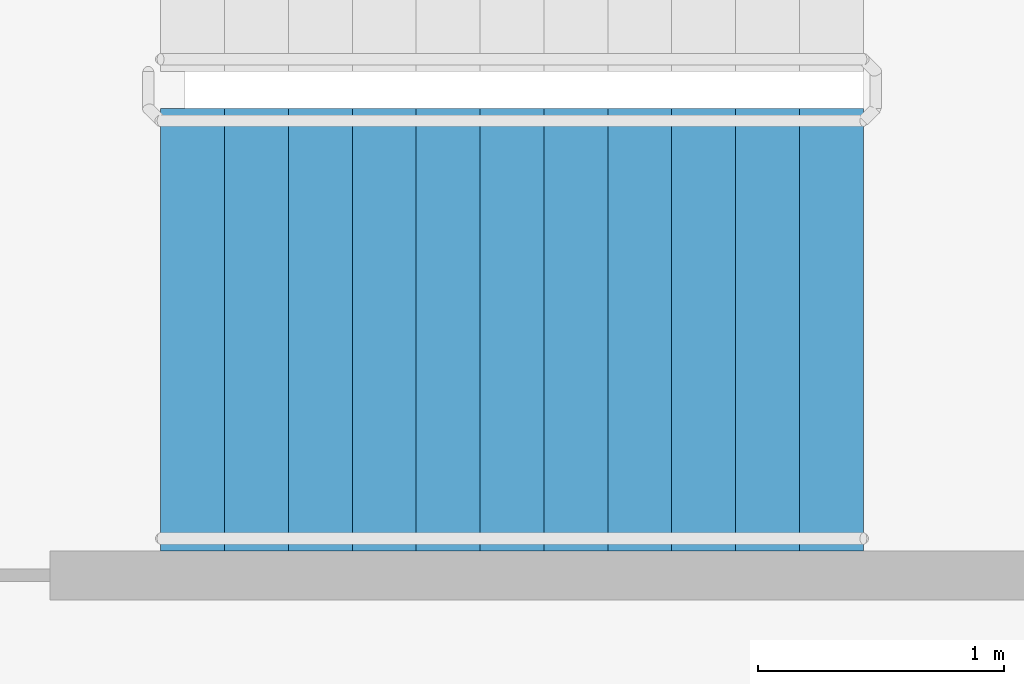
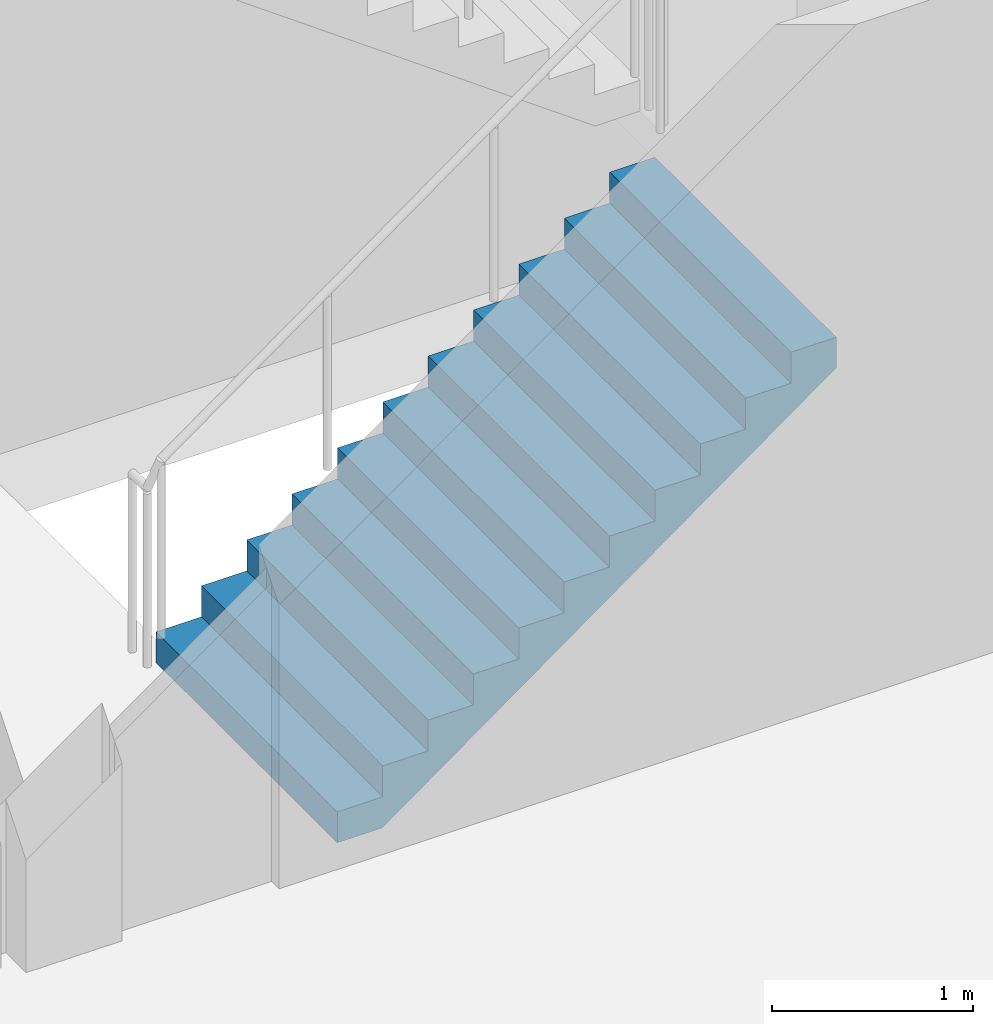
# One storey, part 46 of 51: 1 stair flight, 1 element without a shape of its own.
"""IFC4 building model written with IfcOpenShell, lengths in metres."""

from ifc_helpers import new_model, si_unit, direction, frame, origin, place, context, subcontext, project, spatial, faceted_brep, material, type_object, element, aggregate, save


model = new_model("IFC4")

# Units and contexts
model_context = context("Model", 3, precision=1e-05, world=origin(), true_north=direction((0.0, 1.0)))
body_context = subcontext(model_context, "Body", "Model", "MODEL_VIEW")
ifc_project = project(units=[si_unit("LENGTHUNIT", "METRE"), si_unit("AREAUNIT", "SQUARE_METRE"), si_unit("VOLUMEUNIT", "CUBIC_METRE"), si_unit("PLANEANGLEUNIT", "RADIAN"), si_unit("MASSUNIT", "GRAM", prefix="KILO")], contexts=[model_context])

# Site, building, storey
site_placement = place(None, origin())
site = spatial("IfcSite", under=ifc_project, at=site_placement, CompositionType="ELEMENT")
building_placement = place(site_placement, origin())
building = spatial("IfcBuilding", under=site, at=building_placement, Name="Ipe Terrace Towers", CompositionType="ELEMENT")
storey_placement = place(building_placement, frame((0.0, 0.0, 15.5)))
storey = spatial("IfcBuildingStorey", under=building, at=storey_placement, Name="L03", CompositionType="ELEMENT", Elevation=15.5)

# Stair, stair flight
ifc_material_1 = material(Name="Concrete C30/37", Category="concrete")
stair_type = type_object("IfcStairType", Name="Protected exit stair", PredefinedType="HALF_TURN_STAIR", material=ifc_material_1)
stair_placement = place(storey_placement, origin())
stair = element("IfcStair", 1, at=stair_placement, inside=storey, type_object=stair_type, Name="L03 Podium exit stair PS8", PredefinedType="HALF_TURN_STAIR")
ifc_material_2 = material(Name="Concrete C30/37", Category="concrete")
stair_flight_type = type_object("IfcStairFlightType", Name="Exit stair flight 1800", PredefinedType="STRAIGHT", material=ifc_material_2)
stair_flight_placement = place(storey_placement, frame((58.68994140625, 2.5, 0.0), z_axis=(0.0, 0.0, 1.0), x_axis=(1.0, 0.0, 0.0)))
stair_flight = element("IfcStairFlight", 2, at=stair_flight_placement, type_object=stair_flight_type, Name="PS8 flight 1", NumberOfRisers=12, NumberOfTreads=11, PredefinedType="STRAIGHT", RiserHeight=0.1875, TreadLength=0.26, context=body_context, shape_type="Brep", body=[
    faceted_brep([(0.25634765625, -0.89990234375, 0.0), (2.860107421875, -0.89990234375, 1.877685546875), (2.860107421875, -0.89990234375, 2.0625), (2.60009765625, -0.89990234375, 2.0625), (2.60009765625, -0.89990234375, 1.875), (2.340087890625, -0.89990234375, 1.875), (2.340087890625, -0.89990234375, 1.6875), (2.080078125, -0.89990234375, 1.6875), (2.080078125, -0.89990234375, 1.5), (1.820068359375, -0.89990234375, 1.5), (1.820068359375, -0.89990234375, 1.3125), (1.56005859375, -0.89990234375, 1.3125), (1.56005859375, -0.89990234375, 1.125), (1.300048828125, -0.89990234375, 1.125), (1.300048828125, -0.89990234375, 0.9375), (1.0400390625, -0.89990234375, 0.9375), (1.0400390625, -0.89990234375, 0.75), (0.780029296875, -0.89990234375, 0.75), (0.780029296875, -0.89990234375, 0.5625), (0.52001953125, -0.89990234375, 0.5625), (0.52001953125, -0.89990234375, 0.375), (0.260009765625, -0.89990234375, 0.375), (0.260009765625, -0.89990234375, 0.1875), (0.0, -0.89990234375, 0.1875), (0.0, -0.89990234375, 0.0), (0.0, 0.89990234375, 0.0), (0.0, 0.89990234375, 0.1875), (0.260009765625, 0.89990234375, 0.1875), (0.260009765625, 0.89990234375, 0.375), (0.52001953125, 0.89990234375, 0.375), (0.52001953125, 0.89990234375, 0.5625), (0.780029296875, 0.89990234375, 0.5625), (0.780029296875, 0.89990234375, 0.75), (1.0400390625, 0.89990234375, 0.75), (1.0400390625, 0.89990234375, 0.9375), (1.300048828125, 0.89990234375, 0.9375), (1.300048828125, 0.89990234375, 1.125), (1.56005859375, 0.89990234375, 1.125), (1.56005859375, 0.89990234375, 1.3125), (1.820068359375, 0.89990234375, 1.3125), (1.820068359375, 0.89990234375, 1.5), (2.080078125, 0.89990234375, 1.5), (2.080078125, 0.89990234375, 1.6875), (2.340087890625, 0.89990234375, 1.6875), (2.340087890625, 0.89990234375, 1.875), (2.60009765625, 0.89990234375, 1.875), (2.60009765625, 0.89990234375, 2.0625), (2.860107421875, 0.89990234375, 2.0625), (2.860107421875, 0.89990234375, 1.877685546875), (0.25634765625, 0.89990234375, 0.0), (0.0, -0.300048828125, 0.1875), (0.0, -0.1201171875, 0.1875), (0.0, -0.06005859375, 0.1875), (0.0, -0.030029296875, 0.1875), (0.0, -0.010009765625, 0.1875), (0.0, 0.0, 0.1875), (0.0, 0.010009765625, 0.1875), (0.0, 0.030029296875, 0.1875), (0.0, 0.06005859375, 0.1875), (0.0, 0.1201171875, 0.1875), (0.0, 0.300048828125, 0.1875), (0.0, 0.300048828125, 0.0), (0.0, 0.1201171875, 0.0), (0.0, 0.06005859375, 0.0), (0.0, 0.030029296875, 0.0), (0.0, 0.010009765625, 0.0), (0.0, 0.0, 0.0), (0.0, -0.010009765625, 0.0), (0.0, -0.030029296875, 0.0), (0.0, -0.06005859375, 0.0), (0.0, -0.1201171875, 0.0), (0.0, -0.300048828125, 0.0), (0.260009765625, -0.300048828125, 0.1875), (0.260009765625, -0.1201171875, 0.1875), (0.260009765625, -0.06005859375, 0.1875), (0.260009765625, -0.030029296875, 0.1875), (0.260009765625, -0.010009765625, 0.1875), (0.260009765625, 0.0, 0.1875), (0.260009765625, 0.010009765625, 0.1875), (0.260009765625, 0.030029296875, 0.1875), (0.260009765625, 0.06005859375, 0.1875), (0.260009765625, 0.1201171875, 0.1875), (0.260009765625, 0.300048828125, 0.1875), (0.260009765625, -0.300048828125, 0.375), (0.260009765625, -0.1201171875, 0.375), (0.260009765625, -0.06005859375, 0.375), (0.260009765625, -0.030029296875, 0.375), (0.260009765625, -0.010009765625, 0.375), (0.260009765625, 0.0, 0.375), (0.260009765625, 0.010009765625, 0.375), (0.260009765625, 0.030029296875, 0.375), (0.260009765625, 0.06005859375, 0.375), (0.260009765625, 0.1201171875, 0.375), (0.260009765625, 0.300048828125, 0.375), (0.52001953125, -0.300048828125, 0.375), (0.52001953125, -0.1201171875, 0.375), (0.52001953125, -0.06005859375, 0.375), (0.52001953125, -0.030029296875, 0.375), (0.52001953125, -0.010009765625, 0.375), (0.52001953125, 0.0, 0.375), (0.52001953125, 0.010009765625, 0.375), (0.52001953125, 0.030029296875, 0.375), (0.52001953125, 0.06005859375, 0.375), (0.52001953125, 0.1201171875, 0.375), (0.52001953125, 0.300048828125, 0.375), (0.52001953125, -0.300048828125, 0.5625), (0.52001953125, -0.1201171875, 0.5625), (0.52001953125, -0.06005859375, 0.5625), (0.52001953125, -0.030029296875, 0.5625), (0.52001953125, -0.010009765625, 0.5625), (0.52001953125, 0.0, 0.5625), (0.52001953125, 0.010009765625, 0.5625), (0.52001953125, 0.030029296875, 0.5625), (0.52001953125, 0.06005859375, 0.5625), (0.52001953125, 0.1201171875, 0.5625), (0.52001953125, 0.300048828125, 0.5625), (0.780029296875, -0.300048828125, 0.5625), (0.780029296875, -0.1201171875, 0.5625), (0.780029296875, -0.06005859375, 0.5625), (0.780029296875, -0.030029296875, 0.5625), (0.780029296875, -0.010009765625, 0.5625), (0.780029296875, 0.0, 0.5625), (0.780029296875, 0.010009765625, 0.5625), (0.780029296875, 0.030029296875, 0.5625), (0.780029296875, 0.06005859375, 0.5625), (0.780029296875, 0.1201171875, 0.5625), (0.780029296875, 0.300048828125, 0.5625), (0.780029296875, -0.300048828125, 0.75), (0.780029296875, -0.1201171875, 0.75), (0.780029296875, -0.06005859375, 0.75), (0.780029296875, -0.030029296875, 0.75), (0.780029296875, -0.010009765625, 0.75), (0.780029296875, 0.0, 0.75), (0.780029296875, 0.010009765625, 0.75), (0.780029296875, 0.030029296875, 0.75), (0.780029296875, 0.06005859375, 0.75), (0.780029296875, 0.1201171875, 0.75), (0.780029296875, 0.300048828125, 0.75), (1.0400390625, -0.300048828125, 0.75), (1.0400390625, -0.1201171875, 0.75), (1.0400390625, -0.06005859375, 0.75), (1.0400390625, -0.030029296875, 0.75), (1.0400390625, -0.010009765625, 0.75), (1.0400390625, 0.0, 0.75), (1.0400390625, 0.010009765625, 0.75), (1.0400390625, 0.030029296875, 0.75), (1.0400390625, 0.06005859375, 0.75), (1.0400390625, 0.1201171875, 0.75), (1.0400390625, 0.300048828125, 0.75), (1.0400390625, -0.300048828125, 0.9375), (1.0400390625, -0.1201171875, 0.9375), (1.0400390625, -0.06005859375, 0.9375), (1.0400390625, -0.030029296875, 0.9375), (1.0400390625, -0.010009765625, 0.9375), (1.0400390625, 0.0, 0.9375), (1.0400390625, 0.010009765625, 0.9375), (1.0400390625, 0.030029296875, 0.9375), (1.0400390625, 0.06005859375, 0.9375), (1.0400390625, 0.1201171875, 0.9375), (1.0400390625, 0.300048828125, 0.9375), (1.300048828125, -0.300048828125, 0.9375), (1.300048828125, -0.1201171875, 0.9375), (1.300048828125, -0.06005859375, 0.9375), (1.300048828125, -0.030029296875, 0.9375), (1.300048828125, -0.010009765625, 0.9375), (1.300048828125, 0.0, 0.9375), (1.300048828125, 0.010009765625, 0.9375), (1.300048828125, 0.030029296875, 0.9375), (1.300048828125, 0.06005859375, 0.9375), (1.300048828125, 0.1201171875, 0.9375), (1.300048828125, 0.300048828125, 0.9375), (1.300048828125, -0.300048828125, 1.125), (1.300048828125, -0.1201171875, 1.125), (1.300048828125, -0.06005859375, 1.125), (1.300048828125, -0.030029296875, 1.125), (1.300048828125, -0.010009765625, 1.125), (1.300048828125, 0.0, 1.125), (1.300048828125, 0.010009765625, 1.125), (1.300048828125, 0.030029296875, 1.125), (1.300048828125, 0.06005859375, 1.125), (1.300048828125, 0.1201171875, 1.125), (1.300048828125, 0.300048828125, 1.125), (1.56005859375, -0.300048828125, 1.125), (1.56005859375, -0.1201171875, 1.125), (1.56005859375, -0.06005859375, 1.125), (1.56005859375, -0.030029296875, 1.125), (1.56005859375, -0.010009765625, 1.125), (1.56005859375, 0.0, 1.125), (1.56005859375, 0.010009765625, 1.125), (1.56005859375, 0.030029296875, 1.125), (1.56005859375, 0.06005859375, 1.125), (1.56005859375, 0.1201171875, 1.125), (1.56005859375, 0.300048828125, 1.125), (1.56005859375, -0.300048828125, 1.3125), (1.56005859375, -0.1201171875, 1.3125), (1.56005859375, -0.06005859375, 1.3125), (1.56005859375, -0.030029296875, 1.3125), (1.56005859375, -0.010009765625, 1.3125), (1.56005859375, 0.0, 1.3125), (1.56005859375, 0.010009765625, 1.3125), (1.56005859375, 0.030029296875, 1.3125), (1.56005859375, 0.06005859375, 1.3125), (1.56005859375, 0.1201171875, 1.3125), (1.56005859375, 0.300048828125, 1.3125), (1.820068359375, -0.300048828125, 1.3125), (1.820068359375, -0.1201171875, 1.3125), (1.820068359375, -0.06005859375, 1.3125), (1.820068359375, -0.030029296875, 1.3125), (1.820068359375, -0.010009765625, 1.3125), (1.820068359375, 0.0, 1.3125), (1.820068359375, 0.010009765625, 1.3125), (1.820068359375, 0.030029296875, 1.3125), (1.820068359375, 0.06005859375, 1.3125), (1.820068359375, 0.1201171875, 1.3125), (1.820068359375, 0.300048828125, 1.3125), (1.820068359375, -0.300048828125, 1.5), (1.820068359375, -0.1201171875, 1.5), (1.820068359375, -0.06005859375, 1.5), (1.820068359375, -0.030029296875, 1.5), (1.820068359375, -0.010009765625, 1.5), (1.820068359375, 0.0, 1.5), (1.820068359375, 0.010009765625, 1.5), (1.820068359375, 0.030029296875, 1.5), (1.820068359375, 0.06005859375, 1.5), (1.820068359375, 0.1201171875, 1.5), (1.820068359375, 0.300048828125, 1.5), (2.080078125, -0.300048828125, 1.5), (2.080078125, -0.1201171875, 1.5), (2.080078125, -0.06005859375, 1.5), (2.080078125, -0.030029296875, 1.5), (2.080078125, -0.010009765625, 1.5), (2.080078125, 0.0, 1.5), (2.080078125, 0.010009765625, 1.5), (2.080078125, 0.030029296875, 1.5), (2.080078125, 0.06005859375, 1.5), (2.080078125, 0.1201171875, 1.5), (2.080078125, 0.300048828125, 1.5), (2.080078125, -0.300048828125, 1.6875), (2.080078125, -0.1201171875, 1.6875), (2.080078125, -0.06005859375, 1.6875), (2.080078125, -0.030029296875, 1.6875), (2.080078125, -0.010009765625, 1.6875), (2.080078125, 0.0, 1.6875), (2.080078125, 0.010009765625, 1.6875), (2.080078125, 0.030029296875, 1.6875), (2.080078125, 0.06005859375, 1.6875), (2.080078125, 0.1201171875, 1.6875), (2.080078125, 0.300048828125, 1.6875), (2.340087890625, -0.300048828125, 1.6875), (2.340087890625, -0.1201171875, 1.6875), (2.340087890625, -0.06005859375, 1.6875), (2.340087890625, -0.030029296875, 1.6875), (2.340087890625, -0.010009765625, 1.6875), (2.340087890625, 0.0, 1.6875), (2.340087890625, 0.010009765625, 1.6875), (2.340087890625, 0.030029296875, 1.6875), (2.340087890625, 0.06005859375, 1.6875), (2.340087890625, 0.1201171875, 1.6875), (2.340087890625, 0.300048828125, 1.6875), (2.340087890625, -0.300048828125, 1.875), (2.340087890625, -0.1201171875, 1.875), (2.340087890625, -0.06005859375, 1.875), (2.340087890625, -0.030029296875, 1.875), (2.340087890625, -0.010009765625, 1.875), (2.340087890625, 0.0, 1.875), (2.340087890625, 0.010009765625, 1.875), (2.340087890625, 0.030029296875, 1.875), (2.340087890625, 0.06005859375, 1.875), (2.340087890625, 0.1201171875, 1.875), (2.340087890625, 0.300048828125, 1.875), (2.60009765625, -0.300048828125, 1.875), (2.60009765625, -0.1201171875, 1.875), (2.60009765625, -0.06005859375, 1.875), (2.60009765625, -0.030029296875, 1.875), (2.60009765625, -0.010009765625, 1.875), (2.60009765625, 0.0, 1.875), (2.60009765625, 0.010009765625, 1.875), (2.60009765625, 0.030029296875, 1.875), (2.60009765625, 0.06005859375, 1.875), (2.60009765625, 0.1201171875, 1.875), (2.60009765625, 0.300048828125, 1.875), (2.60009765625, -0.300048828125, 2.0625), (2.60009765625, -0.1201171875, 2.0625), (2.60009765625, -0.06005859375, 2.0625), (2.60009765625, -0.030029296875, 2.0625), (2.60009765625, -0.010009765625, 2.0625), (2.60009765625, 0.0, 2.0625), (2.60009765625, 0.010009765625, 2.0625), (2.60009765625, 0.030029296875, 2.0625), (2.60009765625, 0.06005859375, 2.0625), (2.60009765625, 0.1201171875, 2.0625), (2.60009765625, 0.300048828125, 2.0625), (2.860107421875, -0.300048828125, 2.0625), (2.860107421875, -0.1201171875, 2.0625), (2.860107421875, -0.06005859375, 2.0625), (2.860107421875, -0.030029296875, 2.0625), (2.860107421875, -0.010009765625, 2.0625), (2.860107421875, 0.0, 2.0625), (2.860107421875, 0.010009765625, 2.0625), (2.860107421875, 0.030029296875, 2.0625), (2.860107421875, 0.06005859375, 2.0625), (2.860107421875, 0.1201171875, 2.0625), (2.860107421875, 0.300048828125, 2.0625), (2.860107421875, -0.300048828125, 1.877685546875), (2.860107421875, -0.1201171875, 1.877685546875), (2.860107421875, -0.06005859375, 1.877685546875), (2.860107421875, -0.030029296875, 1.877685546875), (2.860107421875, -0.010009765625, 1.877685546875), (2.860107421875, 0.0, 1.877685546875), (2.860107421875, 0.010009765625, 1.877685546875), (2.860107421875, 0.030029296875, 1.877685546875), (2.860107421875, 0.06005859375, 1.877685546875), (2.860107421875, 0.1201171875, 1.877685546875), (2.860107421875, 0.300048828125, 1.877685546875), (0.25634765625, -0.300048828125, 0.0), (0.25634765625, -0.1201171875, 0.0), (0.25634765625, -0.06005859375, 0.0), (0.25634765625, -0.030029296875, 0.0), (0.25634765625, -0.010009765625, 0.0), (0.25634765625, 0.0, 0.0), (0.25634765625, 0.010009765625, 0.0), (0.25634765625, 0.030029296875, 0.0), (0.25634765625, 0.06005859375, 0.0), (0.25634765625, 0.1201171875, 0.0), (0.25634765625, 0.300048828125, 0.0)], [[[0, 1, 2, 3, 4, 5, 6, 7, 8, 9, 10, 11, 12, 13, 14, 15, 16, 17, 18, 19, 20, 21, 22, 23, 24]], [[25, 26, 27, 28, 29, 30, 31, 32, 33, 34, 35, 36, 37, 38, 39, 40, 41, 42, 43, 44, 45, 46, 47, 48, 49]], [[23, 50, 51, 52, 53, 54, 55, 56, 57, 58, 59, 60, 26, 25, 61, 62, 63, 64, 65, 66, 67, 68, 69, 70, 71, 24]], [[22, 72, 73, 74, 75, 76, 77, 78, 79, 80, 81, 82, 27, 26, 60, 59, 58, 57, 56, 55, 54, 53, 52, 51, 50, 23]], [[21, 83, 84, 85, 86, 87, 88, 89, 90, 91, 92, 93, 28, 27, 82, 81, 80, 79, 78, 77, 76, 75, 74, 73, 72, 22]], [[20, 94, 95, 96, 97, 98, 99, 100, 101, 102, 103, 104, 29, 28, 93, 92, 91, 90, 89, 88, 87, 86, 85, 84, 83, 21]], [[19, 105, 106, 107, 108, 109, 110, 111, 112, 113, 114, 115, 30, 29, 104, 103, 102, 101, 100, 99, 98, 97, 96, 95, 94, 20]], [[18, 116, 117, 118, 119, 120, 121, 122, 123, 124, 125, 126, 31, 30, 115, 114, 113, 112, 111, 110, 109, 108, 107, 106, 105, 19]], [[17, 127, 128, 129, 130, 131, 132, 133, 134, 135, 136, 137, 32, 31, 126, 125, 124, 123, 122, 121, 120, 119, 118, 117, 116, 18]], [[16, 138, 139, 140, 141, 142, 143, 144, 145, 146, 147, 148, 33, 32, 137, 136, 135, 134, 133, 132, 131, 130, 129, 128, 127, 17]], [[15, 149, 150, 151, 152, 153, 154, 155, 156, 157, 158, 159, 34, 33, 148, 147, 146, 145, 144, 143, 142, 141, 140, 139, 138, 16]], [[14, 160, 161, 162, 163, 164, 165, 166, 167, 168, 169, 170, 35, 34, 159, 158, 157, 156, 155, 154, 153, 152, 151, 150, 149, 15]], [[13, 171, 172, 173, 174, 175, 176, 177, 178, 179, 180, 181, 36, 35, 170, 169, 168, 167, 166, 165, 164, 163, 162, 161, 160, 14]], [[12, 182, 183, 184, 185, 186, 187, 188, 189, 190, 191, 192, 37, 36, 181, 180, 179, 178, 177, 176, 175, 174, 173, 172, 171, 13]], [[11, 193, 194, 195, 196, 197, 198, 199, 200, 201, 202, 203, 38, 37, 192, 191, 190, 189, 188, 187, 186, 185, 184, 183, 182, 12]], [[10, 204, 205, 206, 207, 208, 209, 210, 211, 212, 213, 214, 39, 38, 203, 202, 201, 200, 199, 198, 197, 196, 195, 194, 193, 11]], [[9, 215, 216, 217, 218, 219, 220, 221, 222, 223, 224, 225, 40, 39, 214, 213, 212, 211, 210, 209, 208, 207, 206, 205, 204, 10]], [[8, 226, 227, 228, 229, 230, 231, 232, 233, 234, 235, 236, 41, 40, 225, 224, 223, 222, 221, 220, 219, 218, 217, 216, 215, 9]], [[7, 237, 238, 239, 240, 241, 242, 243, 244, 245, 246, 247, 42, 41, 236, 235, 234, 233, 232, 231, 230, 229, 228, 227, 226, 8]], [[6, 248, 249, 250, 251, 252, 253, 254, 255, 256, 257, 258, 43, 42, 247, 246, 245, 244, 243, 242, 241, 240, 239, 238, 237, 7]], [[5, 259, 260, 261, 262, 263, 264, 265, 266, 267, 268, 269, 44, 43, 258, 257, 256, 255, 254, 253, 252, 251, 250, 249, 248, 6]], [[4, 270, 271, 272, 273, 274, 275, 276, 277, 278, 279, 280, 45, 44, 269, 268, 267, 266, 265, 264, 263, 262, 261, 260, 259, 5]], [[3, 281, 282, 283, 284, 285, 286, 287, 288, 289, 290, 291, 46, 45, 280, 279, 278, 277, 276, 275, 274, 273, 272, 271, 270, 4]], [[2, 292, 293, 294, 295, 296, 297, 298, 299, 300, 301, 302, 47, 46, 291, 290, 289, 288, 287, 286, 285, 284, 283, 282, 281, 3]], [[1, 303, 304, 305, 306, 307, 308, 309, 310, 311, 312, 313, 48, 47, 302, 301, 300, 299, 298, 297, 296, 295, 294, 293, 292, 2]], [[0, 314, 315, 316, 317, 318, 319, 320, 321, 322, 323, 324, 49, 48, 313, 312, 311, 310, 309, 308, 307, 306, 305, 304, 303, 1]], [[24, 71, 70, 69, 68, 67, 66, 65, 64, 63, 62, 61, 25, 49, 324, 323, 322, 321, 320, 319, 318, 317, 316, 315, 314, 0]]]),
])
aggregate(stair, [stair_flight])

save(model, "model.ifc")
